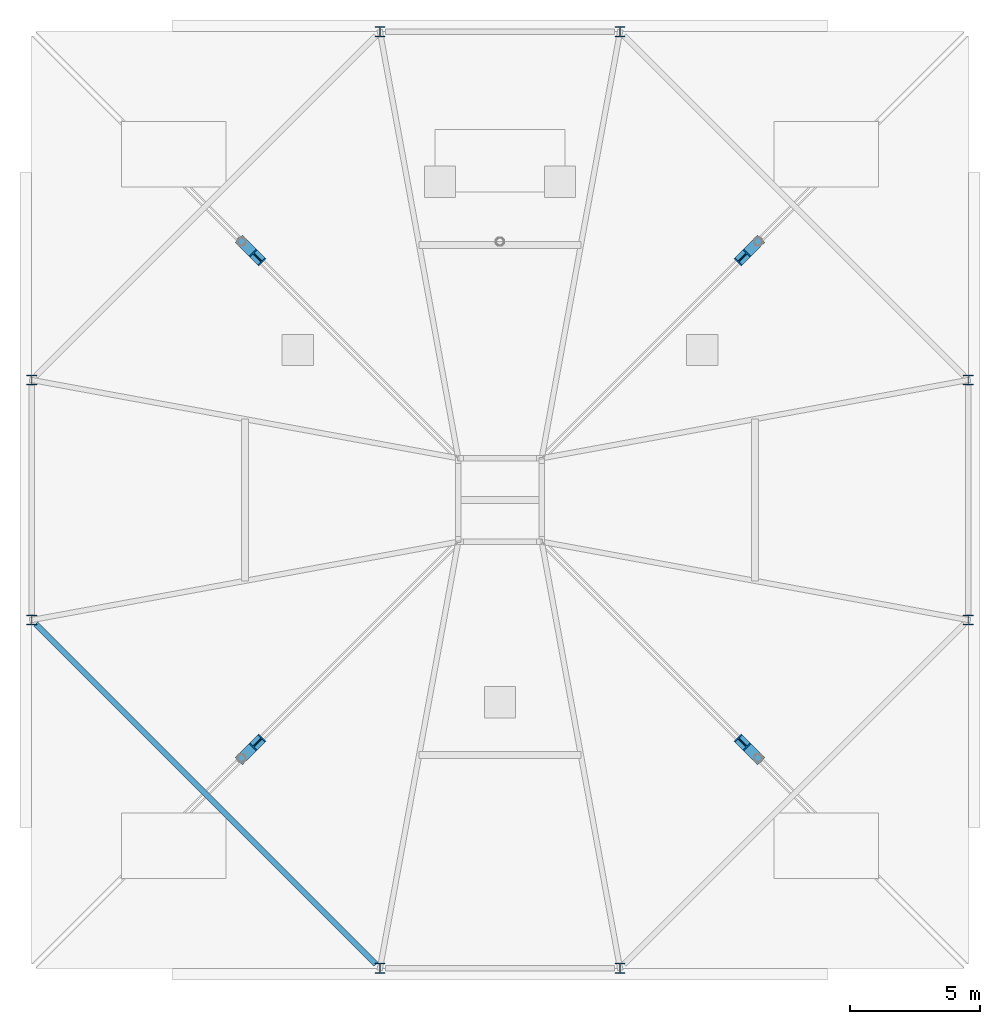
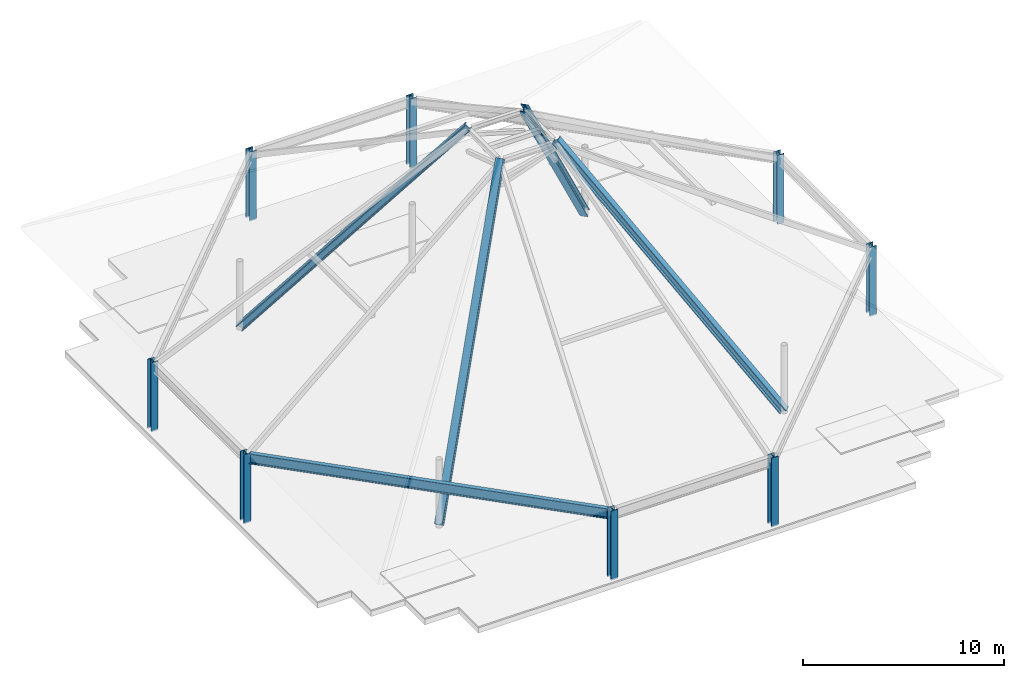
# One storey, part 1 of 7: 12 columns, 1 beam.
"""IFC4 building model written with IfcOpenShell, lengths in metres."""

from ifc_helpers import new_model, si_unit, direction, frame, origin, origin_2d, place, context, subcontext, project, spatial, i_section, extrude, material, material_profile, profile_set, type_object, element, save


model = new_model("IFC4")

# Units and contexts
model_context = context("Model", 3, precision=1e-05, world=origin(), true_north=direction((0.0, 1.0)))
body_context = subcontext(model_context, "Body", "Model", "MODEL_VIEW")
ifc_project = project(units=[si_unit("LENGTHUNIT", "METRE"), si_unit("AREAUNIT", "SQUARE_METRE"), si_unit("VOLUMEUNIT", "CUBIC_METRE"), si_unit("PLANEANGLEUNIT", "RADIAN"), si_unit("MASSUNIT", "GRAM", prefix="KILO")], contexts=[model_context])

# Site, building, storey
site_placement = place(None, origin())
site = spatial("IfcSite", under=ifc_project, at=site_placement, CompositionType="ELEMENT")
building_placement = place(site_placement, origin())
building = spatial("IfcBuilding", under=site, at=building_placement, Name="Kolvaren Belvedere", CompositionType="ELEMENT")
storey_placement = place(building_placement, frame((0.0, 0.0, 287.39990234375)))
storey = spatial("IfcBuildingStorey", under=building, at=storey_placement, Name="RF", CompositionType="ELEMENT", Elevation=287.39990234375)

# Columns
ifc_material_1 = material(Name="Structural steel ASTM A992 Grade 50", Category="steel")
ifc_material_profile_1 = material_profile(ifc_material_1, i_section(OverallWidth=0.39892578125, OverallDepth=0.386962890625, WebThickness=0.02099609375, FlangeThickness=0.033203125, FilletRadius=0.02490234375, at=origin_2d()), Name="W14X176")
ifc_profile_set_1 = profile_set([ifc_material_profile_1], Name="Structural steel ASTM A992 Grade 50")
column_type_1 = type_object("IfcColumnType", Name="COL-ST-W14X176", PredefinedType="COLUMN", material=ifc_profile_set_1)
for number, where, z_axis, x_axis, name in (
    (1, (-4.60009765625, -17.949951171875, 0.0), (0.0, 0.0, 1.0), (1.0, 0.0, 0.0), "RF Crown Canopy Eave Column 1"),
    (2, (4.60009765625, -17.949951171875, 0.0), (0.0, 0.0, 1.0), (1.0, 0.0, 0.0), "RF Crown Canopy Eave Column 2"),
    (3, (17.949951171875, -4.60009765625, 0.0), (0.0, 0.0, 1.0), (1.0, 0.0, 0.0), "RF Crown Canopy Eave Column 3"),
    (4, (17.949951171875, 4.60009765625, 0.0), (0.0, 0.0, 1.0), (1.0, 0.0, 0.0), "RF Crown Canopy Eave Column 4"),
    (5, (4.60009765625, 17.949951171875, 0.0), (0.0, 0.0, 1.0), (1.0, 0.0, 0.0), "RF Crown Canopy Eave Column 5"),
    (6, (-4.60009765625, 17.949951171875, 0.0), (0.0, 0.0, 1.0), (1.0, 0.0, 0.0), "RF Crown Canopy Eave Column 6"),
    (7, (-17.949951171875, 4.60009765625, 0.0), (0.0, 0.0, 1.0), (1.0, 0.0, 0.0), "RF Crown Canopy Eave Column 7"),
    (8, (-17.949951171875, -4.60009765625, 0.0), (0.0, 0.0, 1.0), (1.0, 0.0, 0.0), "RF Crown Canopy Eave Column 8"),
):
    element("IfcColumn", number, at=place(storey_placement, frame(where, z_axis=z_axis, x_axis=x_axis)), inside=storey, type_object=column_type_1, Name=name, PredefinedType="COLUMN", context=body_context, shape_type="SweptSolid", body=[
        extrude(i_section(OverallWidth=0.39892578125, OverallDepth=0.386962890625, WebThickness=0.02099609375, FlangeThickness=0.033203125, FilletRadius=0.02490234375, at=origin_2d()), origin(), (0.0, 0.0, 1.0), 4.2001953125),
    ])
ifc_material_2 = material(Name="Structural steel ASTM A992 Grade 50", Category="steel")
ifc_material_profile_2 = material_profile(ifc_material_2, i_section(OverallWidth=0.404052734375, OverallDepth=0.406982421875, WebThickness=0.027099609375, FlangeThickness=0.043701171875, FilletRadius=0.02490234375, at=origin_2d()), Name="W14X233")
ifc_profile_set_2 = profile_set([ifc_material_profile_2], Name="Structural steel ASTM A992 Grade 50")
column_type_2 = type_object("IfcColumnType", Name="COL-ST-W14X233", PredefinedType="COLUMN", material=ifc_profile_set_2)
for number, where, z_axis, x_axis, name in (
    (9, (-9.89990234375, -9.89990234375, 0.16015625), (0.448815992607, 0.448815992607, 0.772740842431), (-0.707106781187, 0.707106781187, 0.0), "RF Sculpted Canopy Main Support Column 1"),
    (10, (9.89990234375, -9.89990234375, 0.16015625), (-0.448815992607, 0.448815992607, 0.772740842431), (-0.707106781187, -0.707106781187, 0.0), "RF Sculpted Canopy Main Support Column 2"),
    (11, (9.89990234375, 9.89990234375, 0.16015625), (-0.448815992607, -0.448815992607, 0.772740842431), (0.707106781187, -0.707106781187, 0.0), "RF Sculpted Canopy Main Support Column 3"),
    (12, (-9.89990234375, 9.89990234375, 0.16015625), (0.448815992607, -0.448815992607, 0.772740842431), (0.707106781187, 0.707106781187, 0.0), "RF Sculpted Canopy Main Support Column 4"),
):
    element("IfcColumn", number, at=place(storey_placement, frame(where, z_axis=z_axis, x_axis=x_axis)), inside=storey, type_object=column_type_2, Name=name, PredefinedType="COLUMN", context=body_context, shape_type="SweptSolid", body=[
        extrude(i_section(OverallWidth=0.404052734375, OverallDepth=0.406982421875, WebThickness=0.027099609375, FlangeThickness=0.043701171875, FilletRadius=0.02490234375, at=origin_2d()), origin(), (0.0, 0.0, 1.0), 18.49267578125),
    ])

# Beam
ifc_material_3 = material(Name="Structural steel ASTM A992 Grade 50", Category="steel")
ifc_material_profile_3 = material_profile(ifc_material_3, i_section(OverallWidth=0.22900390625, OverallDepth=0.612060546875, WebThickness=0.011962890625, FlangeThickness=0.01953125, FilletRadius=0.01806640625, at=origin_2d()), Name="W24X84")
ifc_profile_set_3 = profile_set([ifc_material_profile_3], Name="Structural steel ASTM A992 Grade 50")
beam_type = type_object("IfcBeamType", Name="BM-SPAN-W24X84", PredefinedType="SPANDREL", material=ifc_profile_set_3)
beam_placement = place(storey_placement, frame((-17.79443359375, -4.755615234375, 3.89013671875), z_axis=(0.707106781187, -0.707106781187, 0.0), x_axis=(0.707106781187, 0.707106781187, 0.0)))
element("IfcBeam", 13, at=beam_placement, inside=storey, type_object=beam_type, Name="RF Canopy Eave Ring Spandrel 8", PredefinedType="SPANDREL", context=body_context, shape_type="SweptSolid", body=[
    extrude(i_section(OverallWidth=0.22900390625, OverallDepth=0.612060546875, WebThickness=0.011962890625, FlangeThickness=0.01953125, FilletRadius=0.01806640625, at=origin_2d()), origin(), (0.0, 0.0, 1.0), 18.439697265625),
])

save(model, "model.ifc")
